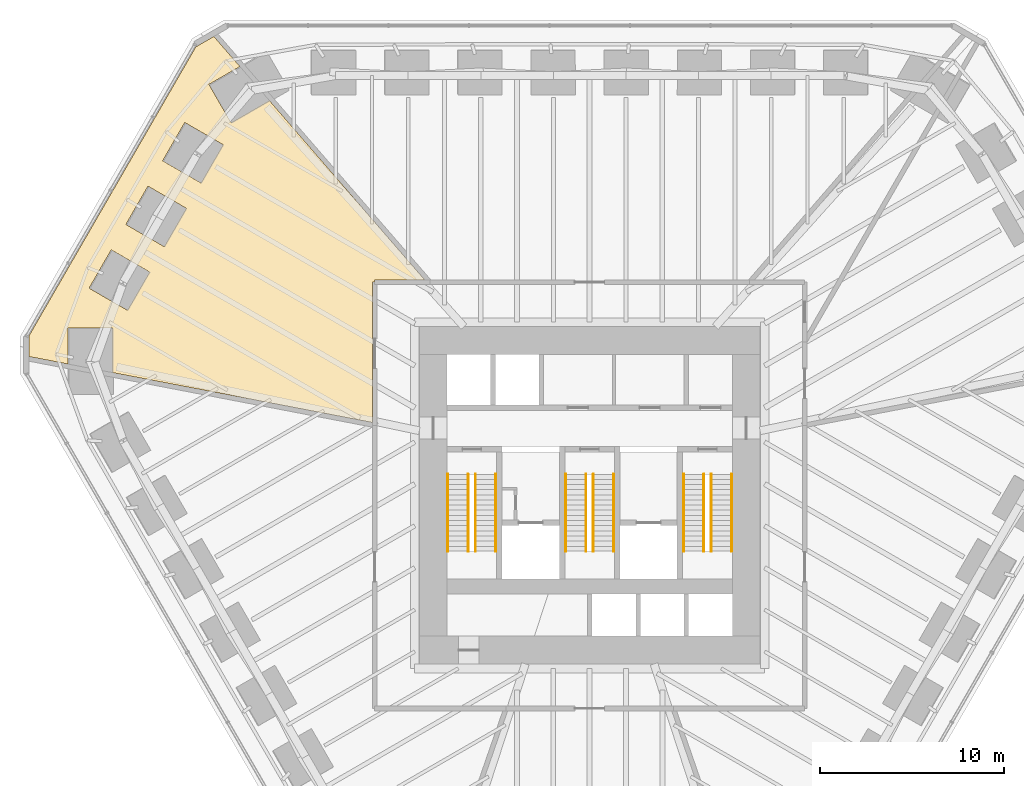
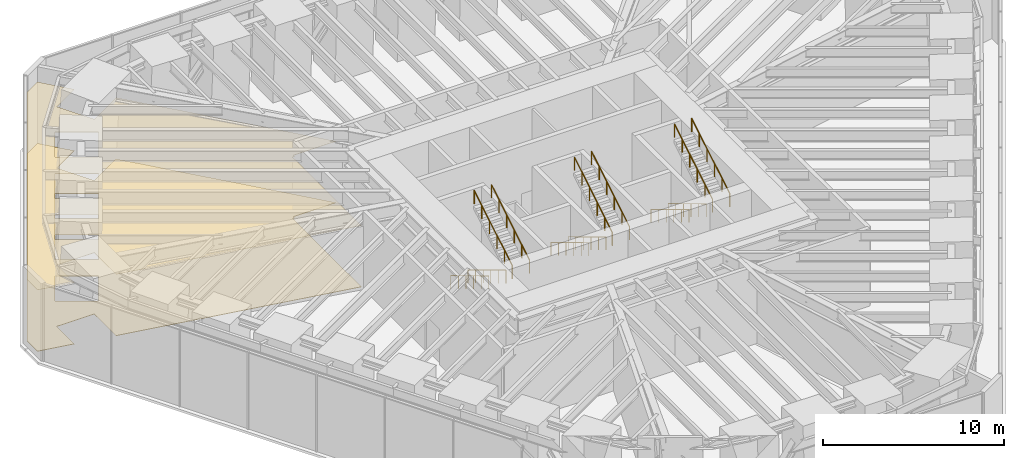
# One storey, part 13 of 13: 12 railings, 2 coverings.
"""IFC4 building model written with IfcOpenShell, lengths in metres."""

from ifc_helpers import new_model, si_unit, direction, frame, origin, origin_2d, place, context, subcontext, project, spatial, polyline, circle, outline, extrude, material, layer, layer_set, type_object, element, save


model = new_model("IFC4")

# Units and contexts
model_context = context("Model", 3, precision=1e-05, world=origin(), true_north=direction((0.0, 1.0)))
body_context = subcontext(model_context, "Body", "Model", "MODEL_VIEW")
ifc_project = project(units=[si_unit("LENGTHUNIT", "METRE"), si_unit("AREAUNIT", "SQUARE_METRE"), si_unit("VOLUMEUNIT", "CUBIC_METRE"), si_unit("PLANEANGLEUNIT", "RADIAN"), si_unit("MASSUNIT", "GRAM", prefix="KILO")], contexts=[model_context])

# Site, building, storey
site_placement = place(None, origin())
site = spatial("IfcSite", under=ifc_project, at=site_placement, CompositionType="ELEMENT")
building_placement = place(site_placement, origin())
building = spatial("IfcBuilding", under=site, at=building_placement, Name="Sandreach Pilgrim Tower", CompositionType="ELEMENT")
storey_placement = place(building_placement, frame((0.0, 0.0, 91.39990234375)))
storey = spatial("IfcBuildingStorey", under=building, at=storey_placement, Name="L22", CompositionType="ELEMENT", Elevation=91.39990234375)

# Covering
ifc_material_1 = material(Name="Acoustic mineral fibre tile ceiling on a suspension grid", Category="mineral")
ifc_layer_1 = layer(ifc_material_1, 0.02001953125)
ifc_layer_set_1 = layer_set([ifc_layer_1], Name="Acoustic mineral tile ceiling")
covering_type_1 = type_object("IfcCoveringType", Name="Acoustic mineral tile ceiling", PredefinedType="CEILING", material=ifc_layer_set_1)
covering_1_placement = place(storey_placement, frame((0.0, 0.0, 4.150146484375)))
element("IfcCovering", 1, at=covering_1_placement, inside=storey, type_object=covering_type_1, Name="Ceiling 2206 Refuge area", PredefinedType="CEILING", context=body_context, shape_type="SweptSolid", body=[
    extrude(outline(polyline([(-30.42626953125, 7.1220703125), (-21.380859375, 22.788818359375), (-20.399658203125, 23.35546875), (-18.986083984375, 21.72412109375), (-20.668701171875, 20.7529296875), (-19.46875, 18.67431640625), (-17.3857421875, 19.876953125), (-8.95361328125, 10.14501953125), (-11.669921875, 10.14501953125), (-11.669921875, 10.02001953125), (-11.794921875, 10.02001953125), (-11.794921875, 2.4013671875), (-25.90673828125, 5.112060546875), (-25.90673828125, 7.523193359375), (-28.306884765625, 7.523193359375), (-28.306884765625, 5.572998046875), (-30.42626953125, 5.97998046875), (-30.42626953125, 7.1220703125)]), holes=[polyline([(-19.9013671875, 17.484375), (-21.97998046875, 18.684326171875), (-23.179931640625, 16.60595703125), (-21.101318359375, 15.406005859375), (-19.9013671875, 17.484375)]), polyline([(-21.8974609375, 14.028076171875), (-23.975830078125, 15.22802734375), (-25.17578125, 13.149658203125), (-23.097412109375, 11.94970703125), (-21.8974609375, 14.028076171875)]), polyline([(-25.092529296875, 8.492919921875), (-23.892578125, 10.5712890625), (-25.97119140625, 11.771484375), (-27.171142578125, 9.69287109375), (-25.092529296875, 8.492919921875)])]), origin(), (0.0, 0.0, 1.0), 0.02001953125),
])

# Railings
ifc_material_2 = material(Name="Stainless steel tube", Category="steel")
railing_type = type_object("IfcRailingType", Name="Stair handrail", PredefinedType="HANDRAIL", material=ifc_material_2)
for number, where, name in (
    (2, (-6.60009765625, -0.39990234375, 0.1689453125), "Handrail ST1 L22 flight 1"),
    (3, (-7.699951171875, -0.39990234375, 0.1689453125), "Handrail ST1 L22 flight 1"),
):
    element("IfcRailing", number, at=place(storey_placement, frame(where)), inside=storey, type_object=railing_type, Name=name, PredefinedType="HANDRAIL", context=body_context, shape_type="SweptSolid", body=[
        extrude(circle(Radius=0.02392578125, at=origin_2d()), frame((0.0, 0.0, 0.8759765625), z_axis=(0.0, -0.856489757249, 0.516164020179), x_axis=(1.0, 0.0, 0.0)), (0.0, 0.0, 1.0), 4.904052734375),
        extrude(circle(Radius=0.02099609375, at=origin_2d()), origin(), (0.0, 0.0, 1.0), 0.851806640625),
        extrude(circle(Radius=0.02099609375, at=origin_2d()), frame((0.0, -0.840087890625, 0.50634765625)), (0.0, 0.0, 1.0), 0.851806640625),
        extrude(circle(Radius=0.02099609375, at=origin_2d()), frame((0.0, -1.68017578125, 1.012451171875)), (0.0, 0.0, 1.0), 0.851806640625),
        extrude(circle(Radius=0.02099609375, at=origin_2d()), frame((0.0, -2.52001953125, 1.518798828125)), (0.0, 0.0, 1.0), 0.851806640625),
        extrude(circle(Radius=0.02099609375, at=origin_2d()), frame((0.0, -3.360107421875, 2.02490234375)), (0.0, 0.0, 1.0), 0.851806640625),
        extrude(circle(Radius=0.02099609375, at=origin_2d()), frame((0.0, -4.2001953125, 2.53125)), (0.0, 0.0, 1.0), 0.851806640625),
    ])
for number, where, name in (
    (4, (-6.199951171875, -4.60009765625, 2.868896484375), "Handrail ST1 L22 flight 2"),
    (5, (-5.10009765625, -4.60009765625, 2.868896484375), "Handrail ST1 L22 flight 2"),
):
    element("IfcRailing", number, at=place(storey_placement, frame(where)), inside=storey, type_object=railing_type, Name=name, PredefinedType="HANDRAIL", context=body_context, shape_type="SweptSolid", body=[
        extrude(circle(Radius=0.02392578125, at=origin_2d()), frame((0.0, 0.0, 0.8759765625), z_axis=(0.0, 0.856489757249, 0.516164020179), x_axis=(-1.0, 0.0, 0.0)), (0.0, 0.0, 1.0), 4.904052734375),
        extrude(circle(Radius=0.02099609375, at=origin_2d()), origin(), (0.0, 0.0, 1.0), 0.851806640625),
        extrude(circle(Radius=0.02099609375, at=origin_2d()), frame((0.0, 0.840087890625, 0.50634765625)), (0.0, 0.0, 1.0), 0.851806640625),
        extrude(circle(Radius=0.02099609375, at=origin_2d()), frame((0.0, 1.68017578125, 1.012451171875)), (0.0, 0.0, 1.0), 0.851806640625),
        extrude(circle(Radius=0.02099609375, at=origin_2d()), frame((0.0, 2.52001953125, 1.518798828125)), (0.0, 0.0, 1.0), 0.851806640625),
        extrude(circle(Radius=0.02099609375, at=origin_2d()), frame((0.0, 3.360107421875, 2.02490234375)), (0.0, 0.0, 1.0), 0.851806640625),
        extrude(circle(Radius=0.02099609375, at=origin_2d()), frame((0.0, 4.2001953125, 2.53125)), (0.0, 0.0, 1.0), 0.851806640625),
    ])
for number, where, name in (
    (6, (-0.199951171875, -0.39990234375, 0.1689453125), "Handrail ST3 L22 flight 1"),
    (7, (-1.300048828125, -0.39990234375, 0.1689453125), "Handrail ST3 L22 flight 1"),
):
    element("IfcRailing", number, at=place(storey_placement, frame(where)), inside=storey, type_object=railing_type, Name=name, PredefinedType="HANDRAIL", context=body_context, shape_type="SweptSolid", body=[
        extrude(circle(Radius=0.02392578125, at=origin_2d()), frame((0.0, 0.0, 0.8759765625), z_axis=(0.0, -0.856489757249, 0.516164020179), x_axis=(1.0, 0.0, 0.0)), (0.0, 0.0, 1.0), 4.904052734375),
        extrude(circle(Radius=0.02099609375, at=origin_2d()), origin(), (0.0, 0.0, 1.0), 0.851806640625),
        extrude(circle(Radius=0.02099609375, at=origin_2d()), frame((0.0, -0.840087890625, 0.50634765625)), (0.0, 0.0, 1.0), 0.851806640625),
        extrude(circle(Radius=0.02099609375, at=origin_2d()), frame((0.0, -1.68017578125, 1.012451171875)), (0.0, 0.0, 1.0), 0.851806640625),
        extrude(circle(Radius=0.02099609375, at=origin_2d()), frame((0.0, -2.52001953125, 1.518798828125)), (0.0, 0.0, 1.0), 0.851806640625),
        extrude(circle(Radius=0.02099609375, at=origin_2d()), frame((0.0, -3.360107421875, 2.02490234375)), (0.0, 0.0, 1.0), 0.851806640625),
        extrude(circle(Radius=0.02099609375, at=origin_2d()), frame((0.0, -4.2001953125, 2.53125)), (0.0, 0.0, 1.0), 0.851806640625),
    ])
for number, where, name in (
    (8, (0.199951171875, -4.60009765625, 2.868896484375), "Handrail ST3 L22 flight 2"),
    (9, (1.300048828125, -4.60009765625, 2.868896484375), "Handrail ST3 L22 flight 2"),
):
    element("IfcRailing", number, at=place(storey_placement, frame(where)), inside=storey, type_object=railing_type, Name=name, PredefinedType="HANDRAIL", context=body_context, shape_type="SweptSolid", body=[
        extrude(circle(Radius=0.02392578125, at=origin_2d()), frame((0.0, 0.0, 0.8759765625), z_axis=(0.0, 0.856489757249, 0.516164020179), x_axis=(-1.0, 0.0, 0.0)), (0.0, 0.0, 1.0), 4.904052734375),
        extrude(circle(Radius=0.02099609375, at=origin_2d()), origin(), (0.0, 0.0, 1.0), 0.851806640625),
        extrude(circle(Radius=0.02099609375, at=origin_2d()), frame((0.0, 0.840087890625, 0.50634765625)), (0.0, 0.0, 1.0), 0.851806640625),
        extrude(circle(Radius=0.02099609375, at=origin_2d()), frame((0.0, 1.68017578125, 1.012451171875)), (0.0, 0.0, 1.0), 0.851806640625),
        extrude(circle(Radius=0.02099609375, at=origin_2d()), frame((0.0, 2.52001953125, 1.518798828125)), (0.0, 0.0, 1.0), 0.851806640625),
        extrude(circle(Radius=0.02099609375, at=origin_2d()), frame((0.0, 3.360107421875, 2.02490234375)), (0.0, 0.0, 1.0), 0.851806640625),
        extrude(circle(Radius=0.02099609375, at=origin_2d()), frame((0.0, 4.2001953125, 2.53125)), (0.0, 0.0, 1.0), 0.851806640625),
    ])
for number, where, name in (
    (10, (6.199951171875, -0.39990234375, 0.1689453125), "Handrail ST2 L22 flight 1"),
    (11, (5.10009765625, -0.39990234375, 0.1689453125), "Handrail ST2 L22 flight 1"),
):
    element("IfcRailing", number, at=place(storey_placement, frame(where)), inside=storey, type_object=railing_type, Name=name, PredefinedType="HANDRAIL", context=body_context, shape_type="SweptSolid", body=[
        extrude(circle(Radius=0.02392578125, at=origin_2d()), frame((0.0, 0.0, 0.8759765625), z_axis=(0.0, -0.856489757249, 0.516164020179), x_axis=(1.0, 0.0, 0.0)), (0.0, 0.0, 1.0), 4.904052734375),
        extrude(circle(Radius=0.02099609375, at=origin_2d()), origin(), (0.0, 0.0, 1.0), 0.851806640625),
        extrude(circle(Radius=0.02099609375, at=origin_2d()), frame((0.0, -0.840087890625, 0.50634765625)), (0.0, 0.0, 1.0), 0.851806640625),
        extrude(circle(Radius=0.02099609375, at=origin_2d()), frame((0.0, -1.68017578125, 1.012451171875)), (0.0, 0.0, 1.0), 0.851806640625),
        extrude(circle(Radius=0.02099609375, at=origin_2d()), frame((0.0, -2.52001953125, 1.518798828125)), (0.0, 0.0, 1.0), 0.851806640625),
        extrude(circle(Radius=0.02099609375, at=origin_2d()), frame((0.0, -3.360107421875, 2.02490234375)), (0.0, 0.0, 1.0), 0.851806640625),
        extrude(circle(Radius=0.02099609375, at=origin_2d()), frame((0.0, -4.2001953125, 2.53125)), (0.0, 0.0, 1.0), 0.851806640625),
    ])
for number, where, name in (
    (12, (6.60009765625, -4.60009765625, 2.868896484375), "Handrail ST2 L22 flight 2"),
    (13, (7.699951171875, -4.60009765625, 2.868896484375), "Handrail ST2 L22 flight 2"),
):
    element("IfcRailing", number, at=place(storey_placement, frame(where)), inside=storey, type_object=railing_type, Name=name, PredefinedType="HANDRAIL", context=body_context, shape_type="SweptSolid", body=[
        extrude(circle(Radius=0.02392578125, at=origin_2d()), frame((0.0, 0.0, 0.8759765625), z_axis=(0.0, 0.856489757249, 0.516164020179), x_axis=(-1.0, 0.0, 0.0)), (0.0, 0.0, 1.0), 4.904052734375),
        extrude(circle(Radius=0.02099609375, at=origin_2d()), origin(), (0.0, 0.0, 1.0), 0.851806640625),
        extrude(circle(Radius=0.02099609375, at=origin_2d()), frame((0.0, 0.840087890625, 0.50634765625)), (0.0, 0.0, 1.0), 0.851806640625),
        extrude(circle(Radius=0.02099609375, at=origin_2d()), frame((0.0, 1.68017578125, 1.012451171875)), (0.0, 0.0, 1.0), 0.851806640625),
        extrude(circle(Radius=0.02099609375, at=origin_2d()), frame((0.0, 2.52001953125, 1.518798828125)), (0.0, 0.0, 1.0), 0.851806640625),
        extrude(circle(Radius=0.02099609375, at=origin_2d()), frame((0.0, 3.360107421875, 2.02490234375)), (0.0, 0.0, 1.0), 0.851806640625),
        extrude(circle(Radius=0.02099609375, at=origin_2d()), frame((0.0, 4.2001953125, 2.53125)), (0.0, 0.0, 1.0), 0.851806640625),
    ])

# Covering
ifc_material_3 = material(Name="Cement terrazzo, ground and polished", Category="terrazzo")
ifc_layer_2 = layer(ifc_material_3, 0.02490234375)
ifc_layer_set_2 = layer_set([ifc_layer_2], Name="Terrazzo")
covering_type_2 = type_object("IfcCoveringType", Name="Terrazzo", PredefinedType="FLOORING", material=ifc_layer_set_2)
covering_2_placement = place(storey_placement, origin())
element("IfcCovering", 14, at=covering_2_placement, inside=storey, type_object=covering_type_2, Name="Floor finish 2206 Refuge area", PredefinedType="FLOORING", context=body_context, shape_type="SweptSolid", body=[
    extrude(outline(polyline([(-30.42626953125, 7.1220703125), (-21.380859375, 22.788818359375), (-20.399658203125, 23.35546875), (-18.986083984375, 21.72412109375), (-20.668701171875, 20.7529296875), (-19.46875, 18.67431640625), (-17.3857421875, 19.876953125), (-8.95361328125, 10.14501953125), (-11.669921875, 10.14501953125), (-11.669921875, 10.02001953125), (-11.794921875, 10.02001953125), (-11.794921875, 2.4013671875), (-25.90673828125, 5.112060546875), (-25.90673828125, 7.523193359375), (-28.306884765625, 7.523193359375), (-28.306884765625, 5.572998046875), (-30.42626953125, 5.97998046875), (-30.42626953125, 7.1220703125)]), holes=[polyline([(-19.9013671875, 17.484375), (-21.97998046875, 18.684326171875), (-23.179931640625, 16.60595703125), (-21.101318359375, 15.406005859375), (-19.9013671875, 17.484375)]), polyline([(-21.8974609375, 14.028076171875), (-23.975830078125, 15.22802734375), (-25.17578125, 13.149658203125), (-23.097412109375, 11.94970703125), (-21.8974609375, 14.028076171875)]), polyline([(-25.092529296875, 8.492919921875), (-23.892578125, 10.5712890625), (-25.97119140625, 11.771484375), (-27.171142578125, 9.69287109375), (-25.092529296875, 8.492919921875)])]), origin(), (0.0, 0.0, 1.0), 0.025146484375),
])

save(model, "model.ifc")
